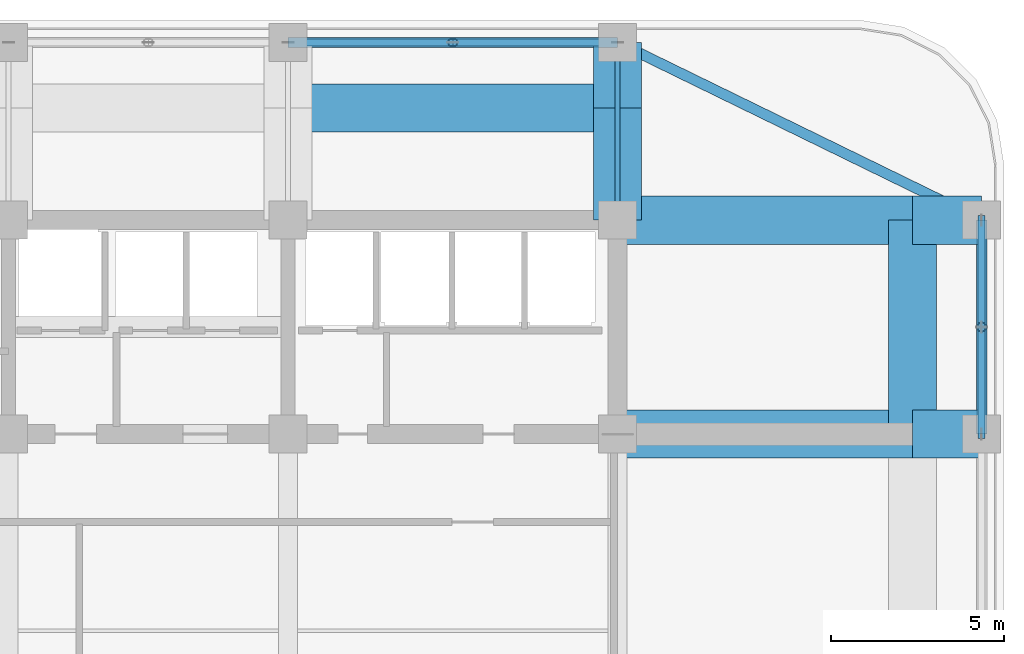
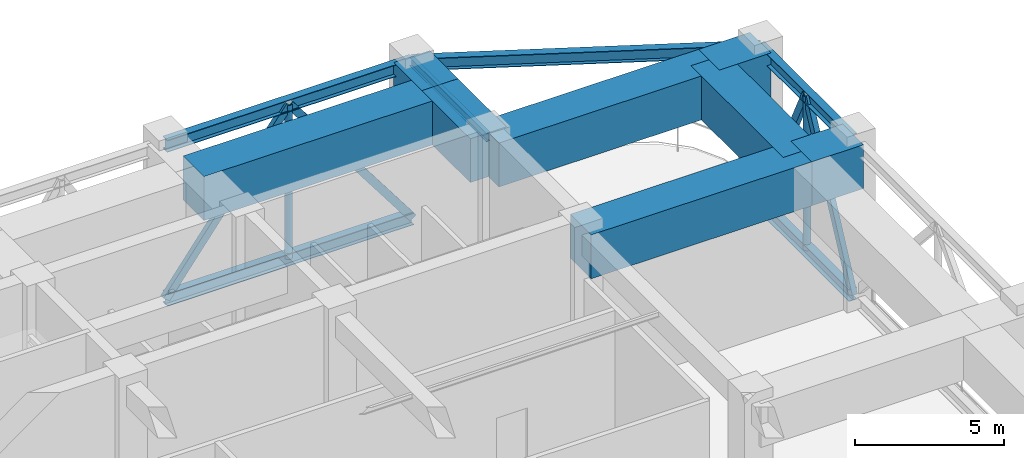
# One storey, part 9 of 20: 14 beams, 6 members.
"""IFC4 building model written with IfcOpenShell, lengths in metres."""

from ifc_helpers import new_model, si_unit, direction, frame, origin, origin_2d, place, context, subcontext, project, spatial, rectangle, hollow_rectangle, hollow_circle, i_section, extrude, material, material_profile, profile_set, type_object, element, save


model = new_model("IFC4")

# Units and contexts
model_context = context("Model", 3, precision=1e-05, world=origin(), true_north=direction((0.0, 1.0)))
body_context = subcontext(model_context, "Body", "Model", "MODEL_VIEW")
ifc_project = project(units=[si_unit("LENGTHUNIT", "METRE"), si_unit("AREAUNIT", "SQUARE_METRE"), si_unit("VOLUMEUNIT", "CUBIC_METRE"), si_unit("PLANEANGLEUNIT", "RADIAN"), si_unit("MASSUNIT", "GRAM", prefix="KILO")], contexts=[model_context])

# Site, building, storey
site_placement = place(None, origin())
site = spatial("IfcSite", under=ifc_project, at=site_placement, CompositionType="ELEMENT")
building_placement = place(site_placement, origin())
building = spatial("IfcBuilding", under=site, at=building_placement, Name="Svetorya Sky Lyceum", CompositionType="ELEMENT")
storey_placement = place(building_placement, frame((0.0, 0.0, 136.39990234375)))
storey = spatial("IfcBuildingStorey", under=building, at=storey_placement, Name="L34", CompositionType="ELEMENT", Elevation=136.39990234375)

# Beams
ifc_material_1 = material(Name="Steel S355", Category="steel")
ifc_material_profile_1 = material_profile(ifc_material_1, i_section(OverallWidth=0.155029296875, OverallDepth=0.34912109375, WebThickness=0.007080078125, FlangeThickness=0.011474609375, at=origin_2d()), Name="GOST 35B2")
ifc_profile_set_1 = profile_set([ifc_material_profile_1], Name="Steel S355")
beam_type_1 = type_object("IfcBeamType", Name="BM-STL-35B2", PredefinedType="JOIST", material=ifc_profile_set_1)
beam_1_placement = place(storey_placement, frame((52.800048828125, 45.800048828125, 6.62548828125), z_axis=(0.0, 1.0, 0.0), x_axis=(-1.0, 0.0, 0.0)))
element("IfcBeam", 1, at=beam_1_placement, inside=storey, type_object=beam_type_1, Name="L34 North Bay Floor Girder N4", PredefinedType="JOIST", context=body_context, shape_type="SweptSolid", body=[
    extrude(i_section(OverallWidth=0.155029296875, OverallDepth=0.34912109375, WebThickness=0.007080078125, FlangeThickness=0.011474609375, at=origin_2d()), origin(), (0.0, 0.0, 1.0), 5.14990234375),
])
ifc_material_profile_2 = material_profile(ifc_material_1, i_section(OverallWidth=0.300048828125, OverallDepth=0.491943359375, WebThickness=0.012939453125, FlangeThickness=0.0205078125, at=origin_2d()), Name="GOST 50Sh2")
ifc_profile_set_2 = profile_set([ifc_material_profile_2], Name="Steel S355")
beam_type_2 = type_object("IfcBeamType", Name="BM-STL-50SH2", PredefinedType="BEAM", material=ifc_profile_set_2)
for number, where, z_axis, x_axis, name in (
    (2, (43.25, 50.949951171875, 0.24609375), (1.0, 0.0, 0.0), (0.0, 1.0, 0.0), "L34 Belt Truss Bottom Chord N-3"),
    (3, (43.25, 50.949951171875, 6.55419921875), (1.0, 0.0, 0.0), (0.0, 1.0, 0.0), "L34 Belt Truss Top Chord N-3"),
):
    element("IfcBeam", number, at=place(storey_placement, frame(where, z_axis=z_axis, x_axis=x_axis)), inside=storey, type_object=beam_type_2, Name=name, PredefinedType="BEAM", context=body_context, shape_type="SweptSolid", body=[
        extrude(i_section(OverallWidth=0.300048828125, OverallDepth=0.491943359375, WebThickness=0.012939453125, FlangeThickness=0.0205078125, at=origin_2d()), origin(), (0.0, 0.0, 1.0), 9.550048828125),
    ])
for number, where, z_axis, x_axis, name in (
    (4, (63.35009765625, 39.60009765625, 0.24609375), (0.0, 1.0, 0.0), (-1.0, 0.0, 0.0), "L34 Belt Truss Bottom Chord E-4"),
    (5, (63.35009765625, 39.60009765625, 6.55419921875), (0.0, 1.0, 0.0), (-1.0, 0.0, 0.0), "L34 Belt Truss Top Chord E-4"),
):
    element("IfcBeam", number, at=place(storey_placement, frame(where, z_axis=z_axis, x_axis=x_axis)), inside=storey, type_object=beam_type_2, Name=name, PredefinedType="BEAM", context=body_context, shape_type="SweptSolid", body=[
        extrude(i_section(OverallWidth=0.300048828125, OverallDepth=0.491943359375, WebThickness=0.012939453125, FlangeThickness=0.0205078125, at=origin_2d()), origin(), (0.0, 0.0, 1.0), 6.199951171875),
    ])
beam_2_placement = place(storey_placement, frame((63.35009765625, 45.800048828125, 6.55419921875), z_axis=(-0.898649693653, 0.438666989978, 0.0), x_axis=(-0.438666989978, -0.898649693653, 0.0)))
element("IfcBeam", 6, at=beam_2_placement, inside=storey, type_object=beam_type_2, Name="L34 Belt Truss Corner Tie 3", PredefinedType="BEAM", context=body_context, shape_type="SweptSolid", body=[
    extrude(i_section(OverallWidth=0.300048828125, OverallDepth=0.491943359375, WebThickness=0.012939453125, FlangeThickness=0.0205078125, at=origin_2d()), origin(), (0.0, 0.0, 1.0), 11.739990234375),
])
ifc_material_2 = material(Name="Concrete C60/75", Category="concrete")
ifc_material_profile_3 = material_profile(ifc_material_2, rectangle(XDim=1.39990234375, YDim=1.800048828125, at=origin_2d()), Name="RC TRANSFER 1400x1800")
ifc_profile_set_3 = profile_set([ifc_material_profile_3], Name="Concrete C60/75")
beam_type_3 = type_object("IfcBeamType", Name="BM-TRF-2200", PredefinedType="BEAM", material=ifc_profile_set_3)
beam_3_placement = place(storey_placement, frame((52.800048828125, 39.60009765625, 5.900146484375), z_axis=(1.0, 0.0, 0.0), x_axis=(0.0, 1.0, 0.0)))
element("IfcBeam", 7, at=beam_3_placement, inside=storey, type_object=beam_type_3, Name="L34 East Inner Transfer Girder 4", PredefinedType="BEAM", context=body_context, shape_type="SweptSolid", body=[
    extrude(rectangle(XDim=1.39990234375, YDim=1.800048828125, at=origin_2d()), origin(), (0.0, 0.0, 1.0), 8.550048828125),
])
beam_4_placement = place(storey_placement, frame((61.35009765625, 39.60009765625, 5.900146484375), z_axis=(1.0, 0.0, 0.0), x_axis=(0.0, 1.0, 0.0)))
element("IfcBeam", 8, at=beam_4_placement, inside=storey, type_object=beam_type_3, Name="L34 East Outer Transfer Girder 4", PredefinedType="BEAM", context=body_context, shape_type="SweptSolid", body=[
    extrude(rectangle(XDim=1.39990234375, YDim=1.800048828125, at=origin_2d()), origin(), (0.0, 0.0, 1.0), 2.0),
])
beam_5_placement = place(storey_placement, frame((52.800048828125, 45.800048828125, 5.900146484375), z_axis=(1.0, 0.0, 0.0), x_axis=(0.0, 1.0, 0.0)))
element("IfcBeam", 9, at=beam_5_placement, inside=storey, type_object=beam_type_3, Name="L34 East Inner Transfer Girder 5", PredefinedType="BEAM", context=body_context, shape_type="SweptSolid", body=[
    extrude(rectangle(XDim=1.39990234375, YDim=1.800048828125, at=origin_2d()), origin(), (0.0, 0.0, 1.0), 8.550048828125),
])
beam_6_placement = place(storey_placement, frame((61.35009765625, 45.800048828125, 5.900146484375), z_axis=(1.0, 0.0, 0.0), x_axis=(0.0, 1.0, 0.0)))
element("IfcBeam", 10, at=beam_6_placement, inside=storey, type_object=beam_type_3, Name="L34 East Outer Transfer Girder 5", PredefinedType="BEAM", context=body_context, shape_type="SweptSolid", body=[
    extrude(rectangle(XDim=1.39990234375, YDim=1.800048828125, at=origin_2d()), origin(), (0.0, 0.0, 1.0), 2.0),
])
beam_7_placement = place(storey_placement, frame((61.35009765625, 39.60009765625, 5.900146484375), z_axis=(0.0, 1.0, 0.0), x_axis=(-1.0, 0.0, 0.0)))
element("IfcBeam", 11, at=beam_7_placement, inside=storey, type_object=beam_type_3, Name="L34 East Setback Transfer Girder 4", PredefinedType="BEAM", context=body_context, shape_type="SweptSolid", body=[
    extrude(rectangle(XDim=1.39990234375, YDim=1.800048828125, at=origin_2d()), origin(), (0.0, 0.0, 1.0), 6.199951171875),
])
beam_8_placement = place(storey_placement, frame((52.800048828125, 45.800048828125, 5.900146484375), z_axis=(0.0, 1.0, 0.0), x_axis=(-1.0, 0.0, 0.0)))
element("IfcBeam", 12, at=beam_8_placement, inside=storey, type_object=beam_type_3, Name="L34 North Inner Transfer Girder 4", PredefinedType="BEAM", context=body_context, shape_type="SweptSolid", body=[
    extrude(rectangle(XDim=1.39990234375, YDim=1.800048828125, at=origin_2d()), origin(), (0.0, 0.0, 1.0), 3.25),
])
beam_9_placement = place(storey_placement, frame((52.800048828125, 49.050048828125, 5.900146484375), z_axis=(0.0, 1.0, 0.0), x_axis=(-1.0, 0.0, 0.0)))
element("IfcBeam", 13, at=beam_9_placement, inside=storey, type_object=beam_type_3, Name="L34 North Outer Transfer Girder 4", PredefinedType="BEAM", context=body_context, shape_type="SweptSolid", body=[
    extrude(rectangle(XDim=1.39990234375, YDim=1.800048828125, at=origin_2d()), origin(), (0.0, 0.0, 1.0), 1.89990234375),
])
beam_10_placement = place(storey_placement, frame((43.25, 49.050048828125, 5.900146484375), z_axis=(1.0, 0.0, 0.0), x_axis=(0.0, 1.0, 0.0)))
element("IfcBeam", 14, at=beam_10_placement, inside=storey, type_object=beam_type_3, Name="L34 North Setback Transfer Girder 3", PredefinedType="BEAM", context=body_context, shape_type="SweptSolid", body=[
    extrude(rectangle(XDim=1.39990234375, YDim=1.800048828125, at=origin_2d()), origin(), (0.0, 0.0, 1.0), 9.550048828125),
])

# Members
ifc_material_profile_4 = material_profile(ifc_material_1, hollow_rectangle(XDim=0.199951171875, YDim=0.300048828125, WallThickness=0.011962890625, at=origin_2d()), Name="RHS 300x200x12")
ifc_profile_set_4 = profile_set([ifc_material_profile_4], Name="Steel S355")
member_type_1 = type_object("IfcMemberType", Name="MB-BRC-RHS300", PredefinedType="BRACE", material=ifc_profile_set_4)
for number, where, z_axis, x_axis, name in (
    (15, (43.25, 50.949951171875, 0.24609375), (0.603539184165, 0.0, 0.79733333881), (0.0, 1.0, 0.0), "L34 Belt Truss Diagonal N-3A"),
    (16, (52.800048828125, 50.949951171875, 0.24609375), (-0.603558801894, 0.0, 0.797318488846), (0.0, -1.0, 0.0), "L34 Belt Truss Diagonal N-3B"),
):
    element("IfcMember", number, at=place(storey_placement, frame(where, z_axis=z_axis, x_axis=x_axis)), inside=storey, type_object=member_type_1, Name=name, PredefinedType="BRACE", context=body_context, shape_type="SweptSolid", body=[
        extrude(hollow_rectangle(XDim=0.199951171875, YDim=0.300048828125, WallThickness=0.011962890625, at=origin_2d()), origin(), (0.0, 0.0, 1.0), 7.91162109375),
    ])
member_1_placement = place(storey_placement, frame((63.35009765625, 39.60009765625, 0.24609375), z_axis=(0.0, 0.441033970868, 0.897490410278), x_axis=(-1.0, 0.0, 0.0)))
element("IfcMember", 17, at=member_1_placement, inside=storey, type_object=member_type_1, Name="L34 Belt Truss Diagonal E-4A", PredefinedType="BRACE", context=body_context, shape_type="SweptSolid", body=[
    extrude(hollow_rectangle(XDim=0.199951171875, YDim=0.300048828125, WallThickness=0.011962890625, at=origin_2d()), origin(), (0.0, 0.0, 1.0), 7.028564453125),
])
member_2_placement = place(storey_placement, frame((63.35009765625, 45.800048828125, 0.24609375), z_axis=(0.0, -0.44106194912, 0.897476660999), x_axis=(1.0, 0.0, 0.0)))
element("IfcMember", 18, at=member_2_placement, inside=storey, type_object=member_type_1, Name="L34 Belt Truss Diagonal E-4B", PredefinedType="BRACE", context=body_context, shape_type="SweptSolid", body=[
    extrude(hollow_rectangle(XDim=0.199951171875, YDim=0.300048828125, WallThickness=0.011962890625, at=origin_2d()), origin(), (0.0, 0.0, 1.0), 7.02880859375),
])
ifc_material_profile_5 = material_profile(ifc_material_1, hollow_circle(Radius=0.136474609375, WallThickness=0.011962890625, at=origin_2d()), Name="CHS 273x12")
ifc_profile_set_5 = profile_set([ifc_material_profile_5], Name="Steel S355")
member_type_2 = type_object("IfcMemberType", Name="MB-STR-CHS273", PredefinedType="STRUT", material=ifc_profile_set_5)
for number, where, z_axis, x_axis, name in (
    (19, (48.02490234375, 50.949951171875, 0.24609375), (0.0, 0.0, 1.0), (1.0, 0.0, 0.0), "L34 Belt Truss Post N-3"),
    (20, (63.35009765625, 42.699951171875, 0.24609375), (0.0, 0.0, 1.0), (1.0, 0.0, 0.0), "L34 Belt Truss Post E-4"),
):
    element("IfcMember", number, at=place(storey_placement, frame(where, z_axis=z_axis, x_axis=x_axis)), inside=storey, type_object=member_type_2, Name=name, PredefinedType="STRUT", context=body_context, shape_type="SweptSolid", body=[
        extrude(hollow_circle(Radius=0.136474609375, WallThickness=0.011962890625, at=origin_2d()), origin(), (0.0, 0.0, 1.0), 6.30810546875),
    ])

save(model, "model.ifc")
